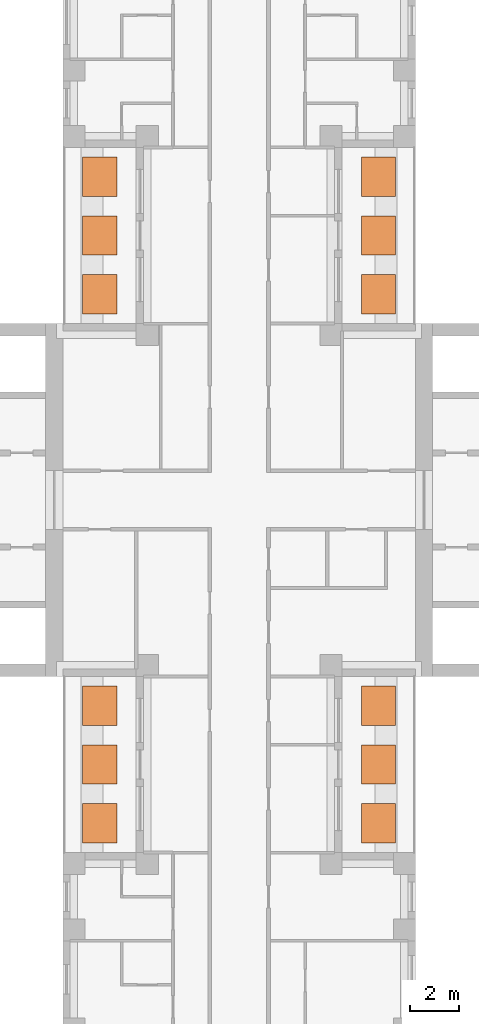
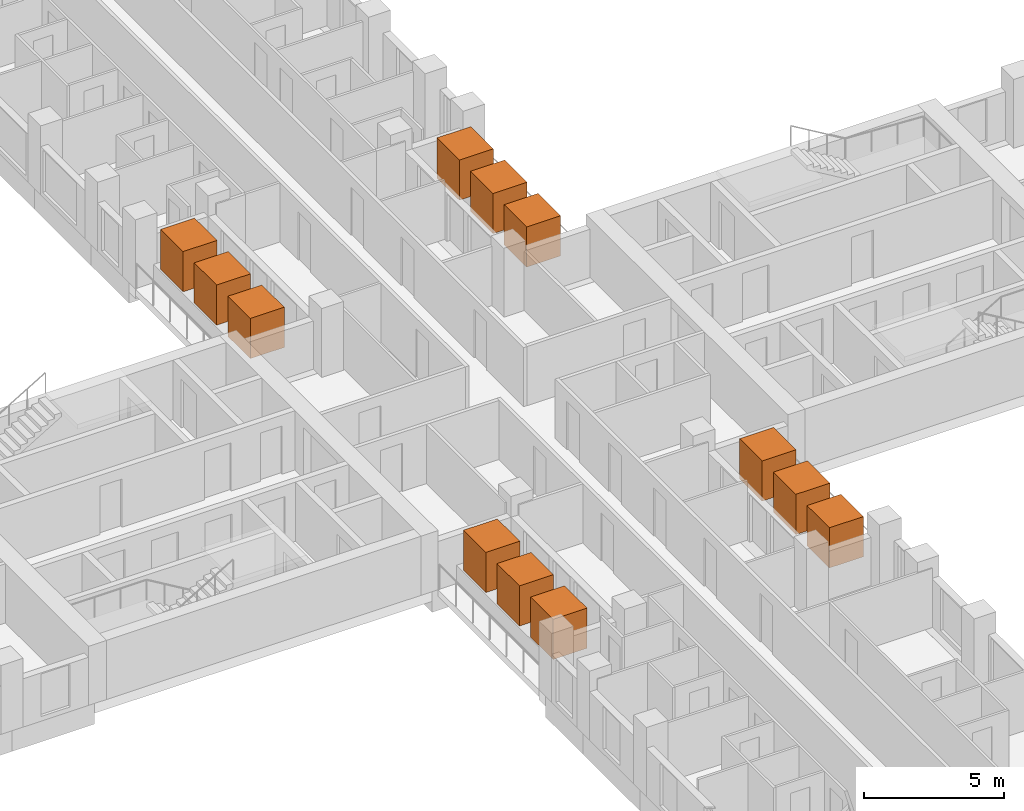
# One storey, part 15 of 15: 12 geographic elements.
"""IFC4 building model written with IfcOpenShell, lengths in metres."""

from ifc_helpers import new_model, si_unit, direction, frame, origin, origin_2d, place, context, subcontext, project, spatial, rectangle, extrude, material, element, save


model = new_model("IFC4")

# Units and contexts
model_context = context("Model", 3, precision=1e-05, world=origin(), true_north=direction((0.0, 1.0)))
body_context = subcontext(model_context, "Body", "Model", "MODEL_VIEW")
ifc_project = project(units=[si_unit("LENGTHUNIT", "METRE"), si_unit("AREAUNIT", "SQUARE_METRE"), si_unit("VOLUMEUNIT", "CUBIC_METRE"), si_unit("PLANEANGLEUNIT", "RADIAN"), si_unit("MASSUNIT", "GRAM", prefix="KILO")], contexts=[model_context])

# Site, building, storey
site_placement = place(None, origin())
site = spatial("IfcSite", under=ifc_project, at=site_placement, CompositionType="ELEMENT")
building_placement = place(site_placement, origin())
building = spatial("IfcBuilding", under=site, at=building_placement, Name="Fustian Cross Tower", CompositionType="ELEMENT")
storey_placement = place(building_placement, frame((0.0, 0.0, 11.699951171875)))
storey = spatial("IfcBuildingStorey", under=building, at=storey_placement, Name="L02", CompositionType="ELEMENT", Elevation=11.699951171875)

# Geographic elements
ifc_material = material(Name="Evergreen foliage")
for number, where, z_axis, x_axis, name in (
    (1, (5.68994140625, 8.39990234375, 0.800048828125), (0.0, 0.0, 1.0), (1.0, 0.0, 0.0), "TREE field maple"),
    (2, (5.68994140625, 10.800048828125, 0.800048828125), (0.0, 0.0, 1.0), (1.0, 0.0, 0.0), "TREE field maple"),
    (3, (5.68994140625, 13.199951171875, 0.800048828125), (0.0, 0.0, 1.0), (1.0, 0.0, 0.0), "TREE field maple"),
    (4, (-5.68994140625, 8.39990234375, 0.800048828125), (0.0, 0.0, 1.0), (1.0, 0.0, 0.0), "TREE field maple"),
    (5, (-5.68994140625, 10.800048828125, 0.800048828125), (0.0, 0.0, 1.0), (1.0, 0.0, 0.0), "TREE field maple"),
    (6, (-5.68994140625, 13.199951171875, 0.800048828125), (0.0, 0.0, 1.0), (1.0, 0.0, 0.0), "TREE field maple"),
    (7, (5.68994140625, -13.199951171875, 0.800048828125), (0.0, 0.0, 1.0), (1.0, 0.0, 0.0), "TREE field maple"),
    (8, (5.68994140625, -10.800048828125, 0.800048828125), (0.0, 0.0, 1.0), (1.0, 0.0, 0.0), "TREE field maple"),
    (9, (5.68994140625, -8.39990234375, 0.800048828125), (0.0, 0.0, 1.0), (1.0, 0.0, 0.0), "TREE field maple"),
    (10, (-5.68994140625, -13.199951171875, 0.800048828125), (0.0, 0.0, 1.0), (1.0, 0.0, 0.0), "TREE field maple"),
    (11, (-5.68994140625, -10.800048828125, 0.800048828125), (0.0, 0.0, 1.0), (1.0, 0.0, 0.0), "TREE field maple"),
    (12, (-5.68994140625, -8.39990234375, 0.800048828125), (0.0, 0.0, 1.0), (1.0, 0.0, 0.0), "TREE field maple"),
):
    element("IfcGeographicElement", number, at=place(storey_placement, frame(where, z_axis=z_axis, x_axis=x_axis)), inside=storey, material=ifc_material, Name=name, ObjectType="VEGETATION", PredefinedType="USERDEFINED", context=body_context, shape_type="SweptSolid", body=[
        extrude(rectangle(XDim=1.39990234375, YDim=1.60009765625, at=origin_2d()), origin(), (0.0, 0.0, 1.0), 1.75),
    ])

save(model, "model.ifc")
